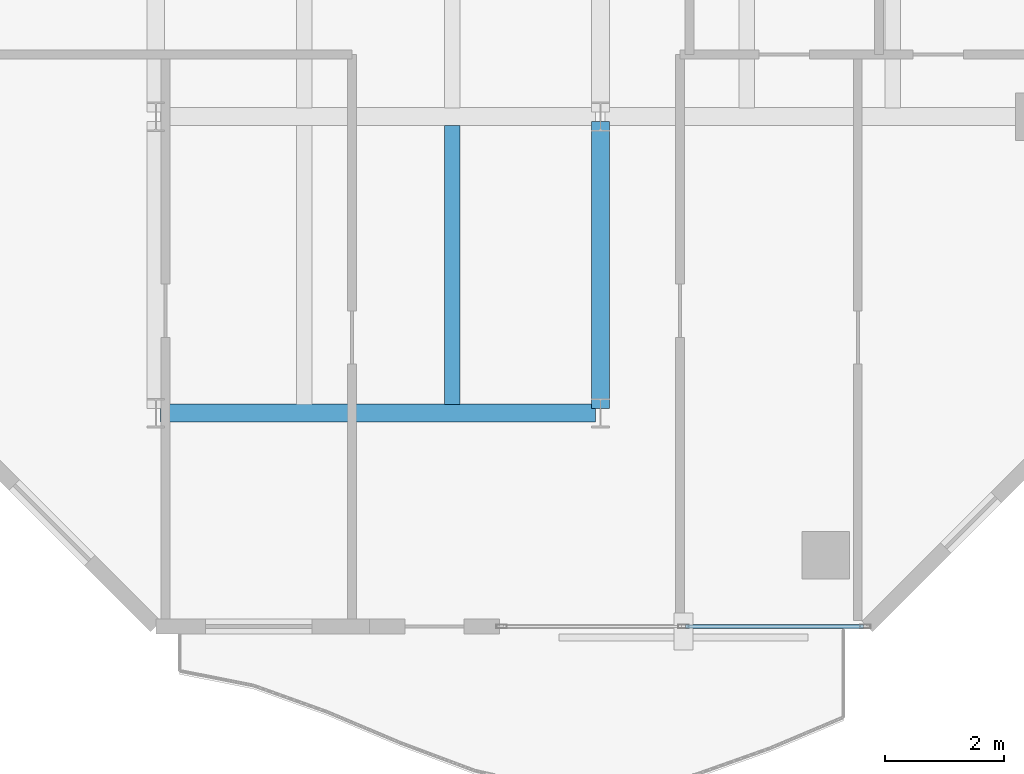
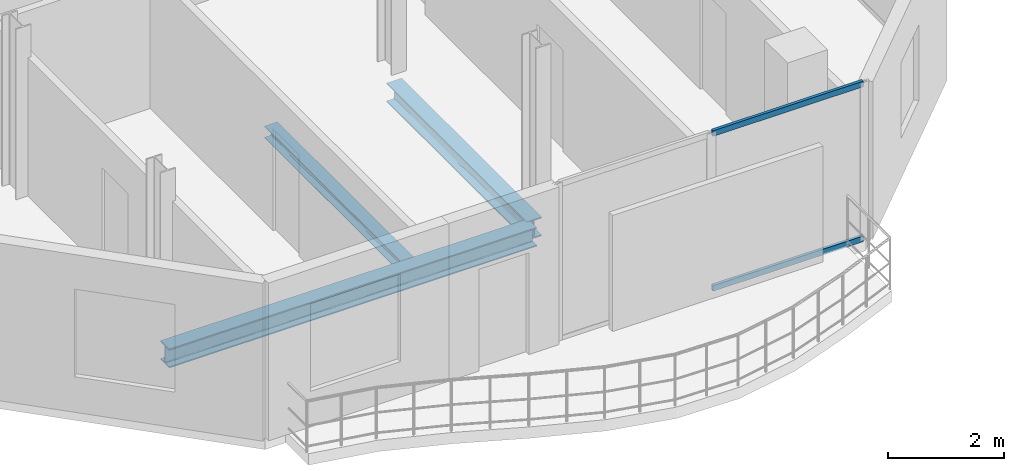
# One storey, part 4 of 23: 3 beams, 2 members, 1 element without a shape of its own.
"""IFC4 building model written with IfcOpenShell, lengths in metres."""

from ifc_helpers import new_model, si_unit, direction, frame, origin, origin_2d, place, context, subcontext, project, spatial, hollow_rectangle, i_section, extrude, material, layer, layer_set, material_profile, profile_set, type_object, element, aggregate, save


model = new_model("IFC4")

# Units and contexts
model_context = context("Model", 3, precision=1e-05, world=origin(), true_north=direction((0.0, 1.0)))
body_context = subcontext(model_context, "Body", "Model", "MODEL_VIEW")
ifc_project = project(units=[si_unit("LENGTHUNIT", "METRE"), si_unit("AREAUNIT", "SQUARE_METRE"), si_unit("VOLUMEUNIT", "CUBIC_METRE"), si_unit("PLANEANGLEUNIT", "RADIAN"), si_unit("MASSUNIT", "GRAM", prefix="KILO")], contexts=[model_context])

# Site, building, storey
site_placement = place(None, origin())
site = spatial("IfcSite", under=ifc_project, at=site_placement, CompositionType="ELEMENT")
building_placement = place(site_placement, origin())
building = spatial("IfcBuilding", under=site, at=building_placement, Name="Catumbela Crestline Tower", CompositionType="ELEMENT")
storey_placement = place(building_placement, frame((0.0, 0.0, 172.2)))
storey = spatial("IfcBuildingStorey", under=building, at=storey_placement, Name="L44", CompositionType="ELEMENT", Elevation=172.2)

# Beams
ifc_material_1 = material(Name="Structural steel S355J2", Category="steel")
ifc_material_profile_1 = material_profile(ifc_material_1, i_section(OverallWidth=0.3, OverallDepth=0.4, WebThickness=0.0135, FlangeThickness=0.024, FilletRadius=0.027, at=origin_2d()), Name="HEB 400")
ifc_profile_set_1 = profile_set([ifc_material_profile_1], Name="Structural steel S355J2")
beam_type_1 = type_object("IfcBeamType", Name="BG-HEB400", PredefinedType="BEAM", material=ifc_profile_set_1)
beam_1_placement = place(storey_placement, frame((8.58, 8.6, -0.46), z_axis=(1.0, 0.0, 0.0), x_axis=(0.0, 1.0, 0.0)))
element("IfcBeam", 1, at=beam_1_placement, inside=storey, type_object=beam_type_1, Name="L44 Beam BM-L44-WEW32", PredefinedType="BEAM", context=body_context, shape_type="SweptSolid", body=[
    extrude(i_section(OverallWidth=0.3, OverallDepth=0.4, WebThickness=0.0135, FlangeThickness=0.024, FilletRadius=0.027, at=origin_2d()), origin(), (0.0, 0.0, 1.0), 7.34),
])
beam_2_placement = place(storey_placement, frame((16.0, 8.68, -0.46), z_axis=(0.0, 1.0, 0.0), x_axis=(-1.0, 0.0, 0.0)))
element("IfcBeam", 2, at=beam_2_placement, inside=storey, type_object=beam_type_1, Name="L44 Beam BM-L44-WNS40", PredefinedType="BEAM", context=body_context, shape_type="SweptSolid", body=[
    extrude(i_section(OverallWidth=0.3, OverallDepth=0.4, WebThickness=0.0135, FlangeThickness=0.024, FilletRadius=0.027, at=origin_2d()), origin(), (0.0, 0.0, 1.0), 4.84),
])
ifc_material_profile_2 = material_profile(ifc_material_1, i_section(OverallWidth=0.26, OverallDepth=0.25, WebThickness=0.0075, FlangeThickness=0.0125, FilletRadius=0.024, at=origin_2d()), Name="HEA 260")
ifc_profile_set_2 = profile_set([ifc_material_profile_2], Name="Structural steel S355J2")
beam_type_2 = type_object("IfcBeamType", Name="BJ-HEA260", PredefinedType="JOIST", material=ifc_profile_set_2)
beam_3_placement = place(storey_placement, frame((13.5, 8.747, -0.385), z_axis=(0.0, 1.0, 0.0), x_axis=(-1.0, 0.0, 0.0)))
element("IfcBeam", 3, at=beam_3_placement, inside=storey, type_object=beam_type_2, Name="L44 Joist JS-L44-WG45", PredefinedType="JOIST", context=body_context, shape_type="SweptSolid", body=[
    extrude(i_section(OverallWidth=0.26, OverallDepth=0.25, WebThickness=0.0075, FlangeThickness=0.0125, FilletRadius=0.024, at=origin_2d()), origin(), (0.0, 0.0, 1.0), 4.706),
])

# Curtain wall, members
ifc_material_2 = material(Name="Aluminium alloy AW-6060-T66", Category="aluminium")
ifc_layer = layer(ifc_material_2, 0.18, Name="Aluminium alloy AW-6060-T66")
ifc_layer_set = layer_set([ifc_layer], Name="Aluminium alloy AW-6060-T66")
curtain_wall_type = type_object("IfcCurtainWallType", Name="CWU-Z3", PredefinedType="USERDEFINED", material=ifc_layer_set)
curtain_wall_placement = place(storey_placement, origin())
curtain_wall = element("IfcCurtainWall", 4, at=curtain_wall_placement, inside=storey, type_object=curtain_wall_type, Name="L44 Unitised Curtain Wall CW-L44-E0S2", ObjectType="UNITISED", PredefinedType="USERDEFINED")
ifc_material_profile_3 = material_profile(ifc_material_2, hollow_rectangle(XDim=0.06, YDim=0.12, WallThickness=0.0035, at=origin_2d()), Name="ALU 120x60x3.5")
ifc_profile_set_3 = profile_set([ifc_material_profile_3], Name="Aluminium alloy AW-6060-T66")
member_type = type_object("IfcMemberType", Name="TRN-120X60", PredefinedType="USERDEFINED", material=ifc_profile_set_3)
member_1_placement = place(storey_placement, frame((17.4325, 5.0, 0.03), z_axis=(1.0, 0.0, 0.0), x_axis=(0.0, 1.0, 0.0)))
member_1 = element("IfcMember", 5, at=member_1_placement, type_object=member_type, Name="CWU-Z3 transom 2.1", ObjectType="TRANSOM", PredefinedType="USERDEFINED", context=body_context, shape_type="SweptSolid", body=[
    extrude(hollow_rectangle(XDim=0.06, YDim=0.12, WallThickness=0.0035, at=origin_2d()), origin(), (0.0, 0.0, 1.0), 3.0025),
])
member_2_placement = place(storey_placement, frame((17.4325, 5.0, 3.3), z_axis=(1.0, 0.0, 0.0), x_axis=(0.0, 1.0, 0.0)))
member_2 = element("IfcMember", 6, at=member_2_placement, type_object=member_type, Name="CWU-Z3 transom 2.2", ObjectType="TRANSOM", PredefinedType="USERDEFINED", context=body_context, shape_type="SweptSolid", body=[
    extrude(hollow_rectangle(XDim=0.06, YDim=0.12, WallThickness=0.0035, at=origin_2d()), origin(), (0.0, 0.0, 1.0), 3.0025),
])
aggregate(curtain_wall, [member_1, member_2])

save(model, "model.ifc")
